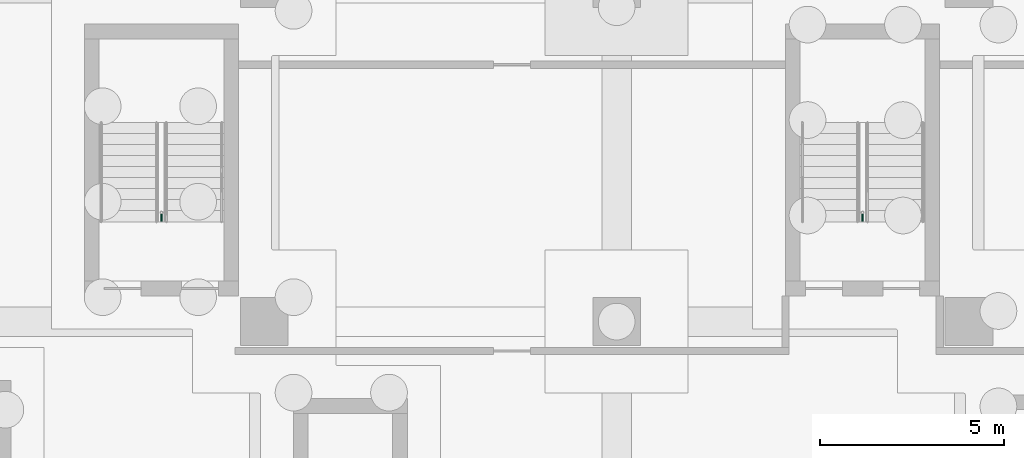
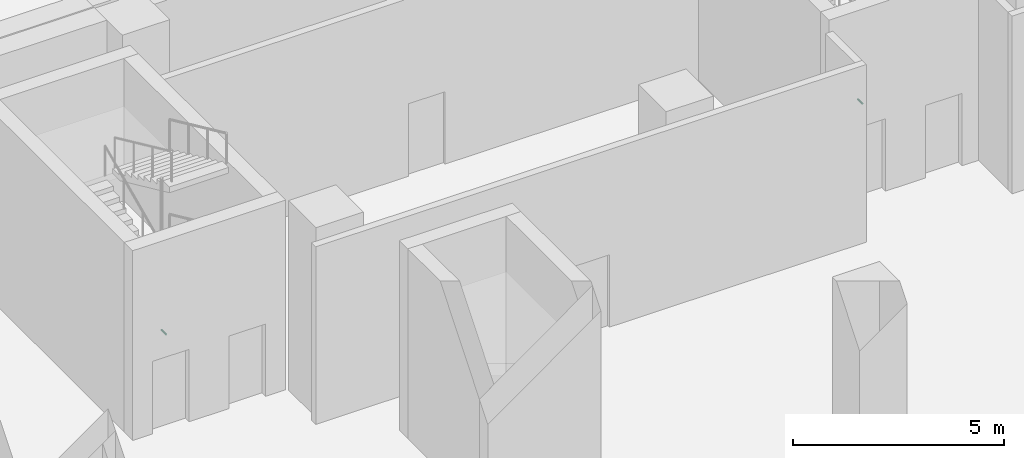
# One storey, part 28 of 33: 2 pipe fittings.
"""IFC4 building model written with IfcOpenShell, lengths in metres."""

from ifc_helpers import new_model, si_unit, direction, frame, origin, origin_2d, place, context, subcontext, project, spatial, circle, extrude, element, save


model = new_model("IFC4")

# Units and contexts
model_context = context("Model", 3, precision=1e-05, world=origin(), true_north=direction((0.0, 1.0)))
body_context = subcontext(model_context, "Body", "Model", "MODEL_VIEW")
ifc_project = project(units=[si_unit("LENGTHUNIT", "METRE"), si_unit("AREAUNIT", "SQUARE_METRE"), si_unit("VOLUMEUNIT", "CUBIC_METRE"), si_unit("PLANEANGLEUNIT", "RADIAN"), si_unit("MASSUNIT", "GRAM", prefix="KILO")], contexts=[model_context])

# Site, building, storey
site_placement = place(None, origin())
site = spatial("IfcSite", under=ifc_project, at=site_placement, CompositionType="ELEMENT")
building_placement = place(site_placement, origin())
building = spatial("IfcBuilding", under=site, at=building_placement, Name="Nzadi Deep Aquarium and Research Tower", CompositionType="ELEMENT")
storey_placement = place(building_placement, frame((0.0, 0.0, -5.5)))
storey = spatial("IfcBuildingStorey", under=building, at=storey_placement, Name="B1", CompositionType="ELEMENT", Elevation=-5.5)

# Pipe fittings
for number, where, z_axis, x_axis, name in (
    (1, (6.800048828125, 39.77001953125, 1.10009765625), (0.0, -1.0, 0.0), (1.0, 0.0, 0.0), "Dry riser outlet ST-Z1-NW B1"),
    (2, (25.89990234375, 39.77001953125, 1.10009765625), (0.0, -1.0, 0.0), (1.0, 0.0, 0.0), "Dry riser outlet ST-Z1-NE B1"),
):
    element("IfcPipeFitting", number, at=place(storey_placement, frame(where, z_axis=z_axis, x_axis=x_axis)), inside=storey, Name=name, PredefinedType="EXIT", context=body_context, shape_type="SweptSolid", body=[
        extrude(circle(Radius=0.0224609375, at=origin_2d()), origin(), (0.0, 0.0, 1.0), 0.22998046875),
    ])

save(model, "model.ifc")
